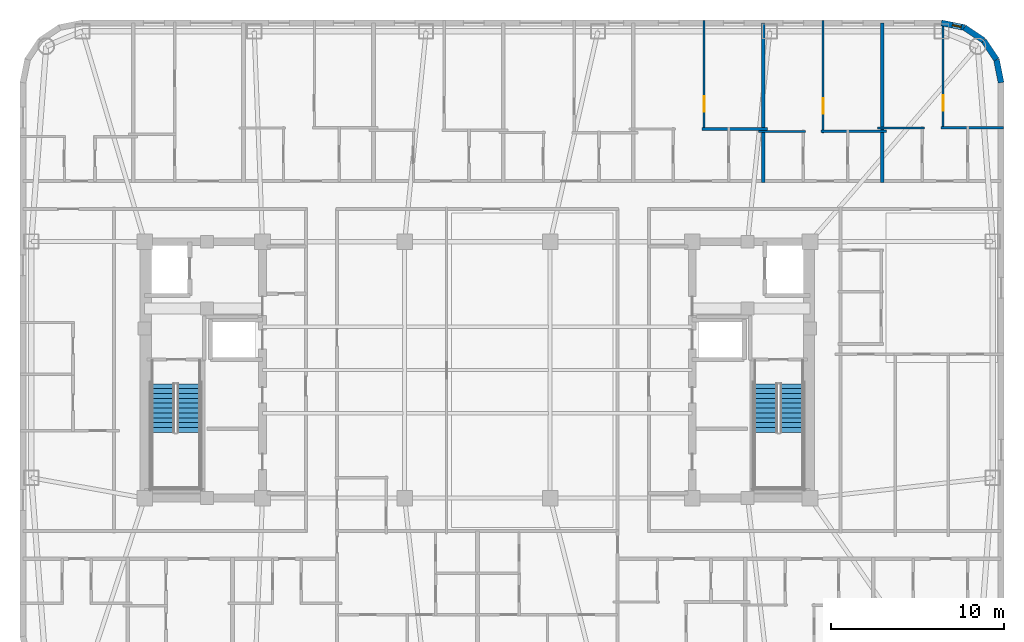
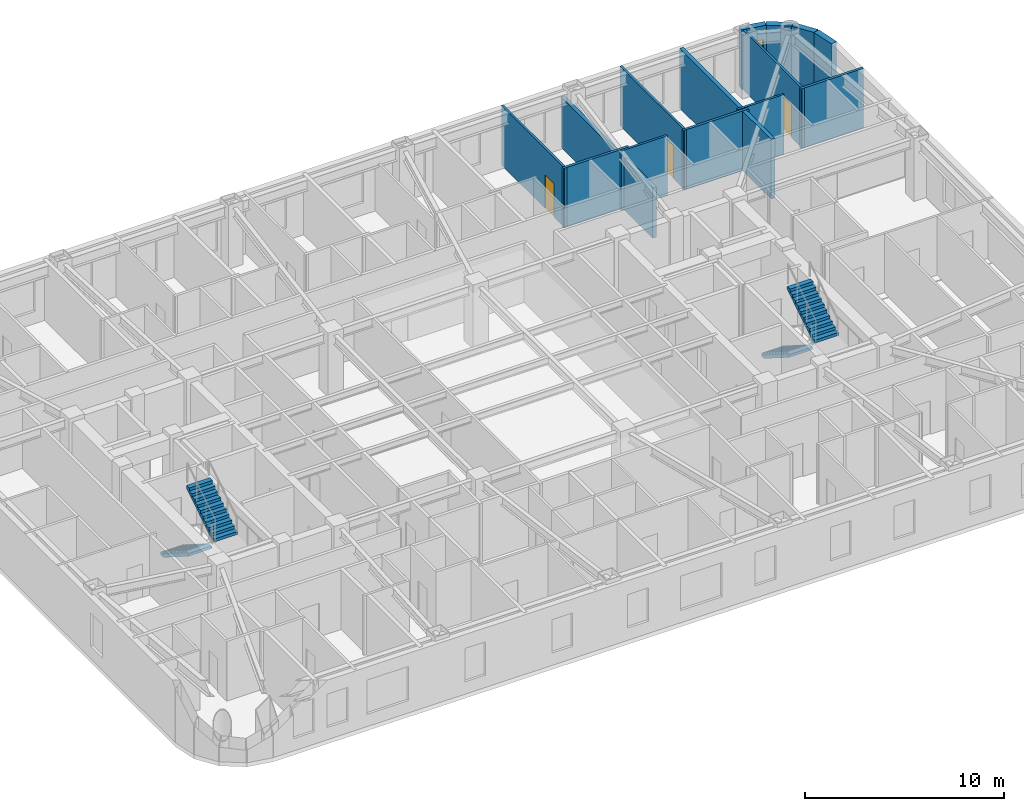
# One storey, part 9 of 11: 14 walls, 4 stair flights, 3 doors, 1 window, 4 openings, 2 elements without a shape of their own.
"""IFC4 building model written with IfcOpenShell, lengths in metres."""

from ifc_helpers import new_model, si_unit, direction, frame, frame_2d, origin, place, context, subcontext, project, spatial, polyline, rectangle, outline, extrude, material, layer, layer_set, type_object, element, fill, aggregate, save


model = new_model("IFC4")

# Units and contexts
model_context = context("Model", 3, precision=1e-05, world=origin(), true_north=direction((0.0, 1.0)))
body_context = subcontext(model_context, "Body", "Model", "MODEL_VIEW")
ifc_project = project(units=[si_unit("LENGTHUNIT", "METRE"), si_unit("AREAUNIT", "SQUARE_METRE"), si_unit("VOLUMEUNIT", "CUBIC_METRE"), si_unit("PLANEANGLEUNIT", "RADIAN"), si_unit("MASSUNIT", "GRAM", prefix="KILO")], contexts=[model_context])

# Site, building, storey
site_placement = place(None, origin())
site = spatial("IfcSite", under=ifc_project, at=site_placement, CompositionType="ELEMENT")
building_placement = place(site_placement, origin())
building = spatial("IfcBuilding", under=site, at=building_placement, Name="Voryun Gate Residences", CompositionType="ELEMENT")
storey_placement = place(building_placement, frame((0.0, 0.0, 243.10009765625)))
storey = spatial("IfcBuildingStorey", under=building, at=storey_placement, Name="L60", CompositionType="ELEMENT", Elevation=243.10009765625)

# Wall, opening, window
ifc_material_1 = material(Name="Charcoal terracotta masonry", Category="masonry")
ifc_layer_1 = layer(ifc_material_1, 0.340087890625, Name="W_EXT_TERRACOTTA_340")
ifc_layer_set_1 = layer_set([ifc_layer_1], Name="Charcoal terracotta masonry")
wall_type_1 = type_object("IfcWallType", Name="W_EXT_TERRACOTTA_340", PredefinedType="ELEMENTEDWALL", material=ifc_layer_set_1)
wall_1_placement = place(storey_placement, frame((26.783203125, 20.030029296875, 0.0), z_axis=(0.0, 0.0, 1.0), x_axis=(0.980788153188, -0.195075878998, 0.0)))
wall_1 = element("IfcWall", 1, at=wall_1_placement, inside=storey, type_object=wall_type_1, Name="Exterior wall WEXT-L60-12", PredefinedType="ELEMENTEDWALL", context=body_context, shape_type="SweptSolid", body=[
    extrude(rectangle(XDim=1.354248046875, YDim=0.340087890625, at=frame_2d((0.67724609375, 0.0))), origin(), (0.0, 0.0, 1.0), 3.64990234375),
])
opening_1_placement = place(wall_1_placement, frame((0.656982421875, 0.0, 0.75)))
opening_1 = element("IfcOpeningElement", 2, at=opening_1_placement, cuts=wall_1, Name="Opening WN10", PredefinedType="OPENING", context=body_context, shape_type="SweptSolid", body=[
    extrude(rectangle(XDim=0.52001953125, YDim=2.050048828125, at=frame_2d((0.260009765625, 1.02490234375))), frame((0.0, 0.179931640625, 0.0), z_axis=(0.0, -1.0, 0.0), x_axis=(1.0, 0.0, 0.0)), (0.0, 0.0, 1.0), 0.360107421875),
])
ifc_material_2 = material(Name="Laminated low-E glass", Category="glass")
window_type = type_object("IfcWindowType", Name="WN_PAGODA_LANCET_520", PartitioningType="SINGLE_PANEL", PredefinedType="WINDOW", material=ifc_material_2)
window_placement = place(opening_1_placement, origin())
window = element("IfcWindow", 3, at=window_placement, inside=storey, type_object=window_type, Name="Window WN-L60-DWFIX-13", OverallHeight=2.050048828125, OverallWidth=0.52001953125, PartitioningType="SINGLE_PANEL", PredefinedType="WINDOW", context=body_context, shape_type="SweptSolid", body=[
    extrude(rectangle(XDim=0.52001953125, YDim=2.050048828125, at=frame_2d((0.260009765625, 1.02490234375))), frame((0.0, 0.030029296875, 0.0), z_axis=(0.0, -1.0, 0.0), x_axis=(1.0, 0.0, 0.0)), (0.0, 0.0, 1.0), 0.06005859375),
])
fill(opening_1, window)

# Walls
for number, where, z_axis, x_axis, name in (
    (4, (28.111328125, 19.765869140625, 0.0), (0.0, 0.0, 1.0), (0.831403586725, -0.555669034571, 0.0), "Exterior wall WEXT-L60-13"),
    (5, (29.222900390625, 19.02294921875, 0.0), (0.0, 0.0, 1.0), (0.555669034571, -0.831403586725, 0.0), "Exterior wall WEXT-L60-14"),
):
    element("IfcWall", number, at=place(storey_placement, frame(where, z_axis=z_axis, x_axis=x_axis)), inside=storey, type_object=wall_type_1, Name=name, PredefinedType="ELEMENTEDWALL", context=body_context, shape_type="SweptSolid", body=[
        extrude(rectangle(XDim=1.3369140625, YDim=0.340087890625, at=frame_2d((0.66845703125, 0.0))), origin(), (0.0, 0.0, 1.0), 3.64990234375),
    ])
wall_2_placement = place(storey_placement, frame((29.9658203125, 17.911376953125, 0.0), z_axis=(0.0, 0.0, 1.0), x_axis=(0.195075878998, -0.980788153188, 0.0)))
element("IfcWall", 6, at=wall_2_placement, inside=storey, type_object=wall_type_1, Name="Exterior wall WEXT-L60-15", PredefinedType="ELEMENTEDWALL", context=body_context, shape_type="SweptSolid", body=[
    extrude(rectangle(XDim=1.354248046875, YDim=0.340087890625, at=frame_2d((0.67724609375, 0.0))), origin(), (0.0, 0.0, 1.0), 3.64990234375),
])
ifc_material_3 = material(Name="Concrete C40/50", Category="concrete")
ifc_layer_2 = layer(ifc_material_3, 0.219970703125, Name="W_PARTY_ACOUSTIC_220")
ifc_layer_set_2 = layer_set([ifc_layer_2], Name="Concrete C40/50")
wall_type_2 = type_object("IfcWallType", Name="W_PARTY_ACOUSTIC_220", PredefinedType="PARTITIONING", material=ifc_layer_set_2)
wall_3_placement = place(storey_placement, frame((16.5, 10.820068359375, 0.0), z_axis=(0.0, 0.0, 1.0), x_axis=(0.0, 1.0, 0.0)))
element("IfcWall", 7, at=wall_3_placement, inside=storey, type_object=wall_type_2, Name="Partition wall WP-L60-NPTY-6", PredefinedType="PARTITIONING", context=body_context, shape_type="SweptSolid", body=[
    extrude(rectangle(XDim=9.2099609375, YDim=0.219970703125, at=frame_2d((4.60498046875, 0.0))), origin(), (0.0, 0.0, 1.0), 3.08984375),
])
wall_4_placement = place(storey_placement, frame((23.367919921875, 10.820068359375, 0.0), z_axis=(0.0, 0.0, 1.0), x_axis=(0.0, 1.0, 0.0)))
element("IfcWall", 8, at=wall_4_placement, inside=storey, type_object=wall_type_2, Name="Partition wall WP-L60-NPTY-7", PredefinedType="PARTITIONING", context=body_context, shape_type="SweptSolid", body=[
    extrude(rectangle(XDim=9.2099609375, YDim=0.219970703125, at=frame_2d((4.60498046875, 0.0))), origin(), (0.0, 0.0, 1.0), 3.64990234375),
])

# Wall, opening, door
ifc_material_4 = material(Name="Gypsum acoustic partition")
ifc_layer_3 = layer(ifc_material_4, 0.125, Name="W_UNIT_PART_125")
ifc_layer_set_3 = layer_set([ifc_layer_3], Name="Gypsum acoustic partition")
wall_type_3 = type_object("IfcWallType", Name="W_UNIT_PART_125", PredefinedType="PARTITIONING", material=ifc_layer_set_3)
wall_5_placement = place(storey_placement, frame((13.090087890625, 13.825927734375, 0.0), z_axis=(0.0, 0.0, 1.0), x_axis=(0.0, 1.0, 0.0)))
wall_5 = element("IfcWall", 9, at=wall_5_placement, inside=storey, type_object=wall_type_3, Name="Partition wall WP-L60-N6-OVR", PredefinedType="PARTITIONING", context=body_context, shape_type="SweptSolid", body=[
    extrude(rectangle(XDim=6.35400390625, YDim=0.125, at=frame_2d((3.177001953125, 0.0))), origin(), (0.0, 0.0, 1.0), 3.64990234375),
])
opening_2_placement = place(wall_5_placement, frame((1.074951171875, 0.0, 0.0)))
opening_2 = element("IfcOpeningElement", 10, at=opening_2_placement, cuts=wall_5, Name="Opening D-INT-2", PredefinedType="OPENING", context=body_context, shape_type="SweptSolid", body=[
    extrude(rectangle(XDim=0.89990234375, YDim=2.050048828125, at=frame_2d((0.449951171875, 1.02490234375))), frame((0.0, 0.072509765625, 0.0), z_axis=(0.0, -1.0, 0.0), x_axis=(1.0, 0.0, 0.0)), (0.0, 0.0, 1.0), 0.14501953125),
])
ifc_material_5 = material(Name="Architectural oak veneer")
door_type = type_object("IfcDoorType", Name="DR_INT_BATH_900", OperationType="NOTDEFINED", PredefinedType="DOOR", material=ifc_material_5)
door_1_placement = place(opening_2_placement, origin())
door_1 = element("IfcDoor", 11, at=door_1_placement, inside=storey, type_object=door_type, Name="Door DR-L60-N6-DMB", OperationType="SINGLE_SWING_RIGHT", OverallHeight=2.050048828125, OverallWidth=0.89990234375, PredefinedType="DOOR", context=body_context, shape_type="SweptSolid", body=[
    extrude(rectangle(XDim=0.89990234375, YDim=2.050048828125, at=frame_2d((0.449951171875, 1.02490234375))), frame((0.0, 0.02490234375, 0.0), z_axis=(0.0, -1.0, 0.0), x_axis=(1.0, 0.0, 0.0)), (0.0, 0.0, 1.0), 0.050048828125),
])
fill(opening_2, door_1)

wall_6_placement = place(storey_placement, frame((19.9580078125, 13.68896484375, 0.0), z_axis=(0.0, 0.0, 1.0), x_axis=(0.0, 1.0, 0.0)))
wall_6 = element("IfcWall", 12, at=wall_6_placement, inside=storey, type_object=wall_type_3, Name="Partition wall WP-L60-N7-OVR", PredefinedType="PARTITIONING", context=body_context, shape_type="SweptSolid", body=[
    extrude(rectangle(XDim=6.490966796875, YDim=0.125, at=frame_2d((3.24560546875, 0.0))), origin(), (0.0, 0.0, 1.0), 3.64990234375),
])
opening_3_placement = place(wall_6_placement, frame((1.10791015625, 0.0, 0.0)))
opening_3 = element("IfcOpeningElement", 13, at=opening_3_placement, cuts=wall_6, Name="Opening D-INT-2", PredefinedType="OPENING", context=body_context, shape_type="SweptSolid", body=[
    extrude(rectangle(XDim=0.89990234375, YDim=2.050048828125, at=frame_2d((0.449951171875, 1.02490234375))), frame((0.0, 0.072509765625, 0.0), z_axis=(0.0, -1.0, 0.0), x_axis=(1.0, 0.0, 0.0)), (0.0, 0.0, 1.0), 0.14501953125),
])
door_2_placement = place(opening_3_placement, origin())
door_2 = element("IfcDoor", 14, at=door_2_placement, inside=storey, type_object=door_type, Name="Door DR-L60-N7-DMB", OperationType="SINGLE_SWING_RIGHT", OverallHeight=2.050048828125, OverallWidth=0.89990234375, PredefinedType="DOOR", context=body_context, shape_type="SweptSolid", body=[
    extrude(rectangle(XDim=0.89990234375, YDim=2.050048828125, at=frame_2d((0.449951171875, 1.02490234375))), frame((0.0, 0.02490234375, 0.0), z_axis=(0.0, -1.0, 0.0), x_axis=(1.0, 0.0, 0.0)), (0.0, 0.0, 1.0), 0.050048828125),
])
fill(opening_3, door_2)

# Wall
wall_7_placement = place(storey_placement, frame((16.239990234375, 13.76904296875, 0.0), z_axis=(0.0, 0.0, 1.0), x_axis=(1.0, 0.0, 0.0)))
element("IfcWall", 15, at=wall_7_placement, inside=storey, type_object=wall_type_3, Name="Partition wall WP-L60-N7-HZK", PredefinedType="PARTITIONING", context=body_context, shape_type="SweptSolid", body=[
    extrude(rectangle(XDim=2.68994140625, YDim=0.125, at=frame_2d((1.344970703125, 0.0))), origin(), (0.0, 0.0, 1.0), 3.64990234375),
])

# Wall, opening, door
wall_8_placement = place(storey_placement, frame((26.886962890625, 13.89404296875, 0.0), z_axis=(0.0, 0.0, 1.0), x_axis=(0.0, 1.0, 0.0)))
wall_8 = element("IfcWall", 16, at=wall_8_placement, inside=storey, type_object=wall_type_3, Name="Partition wall WP-L60-N8-OVR", PredefinedType="PARTITIONING", context=body_context, shape_type="SweptSolid", body=[
    extrude(rectangle(XDim=6.268310546875, YDim=0.125, at=frame_2d((3.13427734375, 0.0))), origin(), (0.0, 0.0, 1.0), 3.64990234375),
])
opening_4_placement = place(wall_8_placement, frame((1.054443359375, 0.0, 0.0)))
opening_4 = element("IfcOpeningElement", 17, at=opening_4_placement, cuts=wall_8, Name="Opening D-INT-2", PredefinedType="OPENING", context=body_context, shape_type="SweptSolid", body=[
    extrude(rectangle(XDim=0.89990234375, YDim=2.050048828125, at=frame_2d((0.449951171875, 1.02490234375))), frame((0.0, 0.072509765625, 0.0), z_axis=(0.0, -1.0, 0.0), x_axis=(1.0, 0.0, 0.0)), (0.0, 0.0, 1.0), 0.14501953125),
])
door_3_placement = place(opening_4_placement, origin())
door_3 = element("IfcDoor", 18, at=door_3_placement, inside=storey, type_object=door_type, Name="Door DR-L60-N8-DMB", OperationType="SINGLE_SWING_RIGHT", OverallHeight=2.050048828125, OverallWidth=0.89990234375, PredefinedType="DOOR", context=body_context, shape_type="SweptSolid", body=[
    extrude(rectangle(XDim=0.89990234375, YDim=2.050048828125, at=frame_2d((0.449951171875, 1.02490234375))), frame((0.0, 0.02490234375, 0.0), z_axis=(0.0, -1.0, 0.0), x_axis=(1.0, 0.0, 0.0)), (0.0, 0.0, 1.0), 0.050048828125),
])
fill(opening_4, door_3)

# Walls
wall_9_placement = place(storey_placement, frame((23.10791015625, 13.97412109375, 0.0), z_axis=(0.0, 0.0, 1.0), x_axis=(1.0, 0.0, 0.0)))
element("IfcWall", 19, at=wall_9_placement, inside=storey, type_object=wall_type_3, Name="Partition wall WP-L60-N8-HZK", PredefinedType="PARTITIONING", context=body_context, shape_type="SweptSolid", body=[
    extrude(rectangle(XDim=2.690185546875, YDim=0.125, at=frame_2d((1.34521484375, 0.0))), origin(), (0.0, 0.0, 1.0), 3.64990234375),
])
ifc_material_6 = material(Name="Gypsum moisture-resistant partition")
ifc_layer_4 = layer(ifc_material_6, 0.14990234375, Name="W_WET_PLUMB_150")
ifc_layer_set_4 = layer_set([ifc_layer_4], Name="Gypsum moisture-resistant partition")
wall_type_4 = type_object("IfcWallType", Name="W_WET_PLUMB_150", PredefinedType="PLUMBINGWALL", material=ifc_layer_set_4)
for number, where, z_axis, x_axis, name in (
    (20, (12.969970703125, 13.906005859375, 0.0), (0.0, 0.0, 1.0), (1.0, 0.0, 0.0), "Partition wall WP-L60-N6-HZB"),
    (21, (19.837890625, 13.76904296875, 0.0), (0.0, 0.0, 1.0), (1.0, 0.0, 0.0), "Partition wall WP-L60-N7-HZB"),
):
    element("IfcWall", number, at=place(storey_placement, frame(where, z_axis=z_axis, x_axis=x_axis)), inside=storey, type_object=wall_type_4, Name=name, PredefinedType="PLUMBINGWALL", context=body_context, shape_type="SweptSolid", body=[
        extrude(rectangle(XDim=3.7900390625, YDim=0.14990234375, at=frame_2d((1.89501953125, 0.0))), origin(), (0.0, 0.0, 1.0), 3.64990234375),
    ])
wall_10_placement = place(storey_placement, frame((26.76708984375, 13.97412109375, 0.0), z_axis=(0.0, 0.0, 1.0), x_axis=(1.0, 0.0, 0.0)))
element("IfcWall", 22, at=wall_10_placement, inside=storey, type_object=wall_type_4, Name="Partition wall WP-L60-N8-HZB", PredefinedType="PLUMBINGWALL", context=body_context, shape_type="SweptSolid", body=[
    extrude(rectangle(XDim=3.61279296875, YDim=0.14990234375, at=frame_2d((1.806396484375, 0.0))), origin(), (0.0, 0.0, 1.0), 3.64990234375),
])

# Stair, stair flights
ifc_material_7 = material(Name="Concrete C40/50", Category="concrete")
stair_type = type_object("IfcStairType", Name="STR_CORE_DOGLEG_1350", PredefinedType="HALF_TURN_STAIR", material=ifc_material_7)
stair_1_placement = place(storey_placement, origin())
stair_1 = element("IfcStair", 23, at=stair_1_placement, inside=storey, type_object=stair_type, Name="L60 Special Escape Stair ST-W1", PredefinedType="HALF_TURN_STAIR")
ifc_material_8 = material(Name="Concrete C40/50", Category="concrete")
stair_flight_type = type_object("IfcStairFlightType", Name="FLT_CORE_1350", PredefinedType="STRAIGHT", material=ifc_material_8)
stair_flight_1_placement = place(storey_placement, frame((-18.14990234375, -0.800048828125, 0.0), z_axis=(0.0, 0.0, 1.0), x_axis=(0.0, -1.0, 0.0)))
stair_flight_1 = element("IfcStairFlight", 24, at=stair_flight_1_placement, type_object=stair_flight_type, Name="ST-W1 flight 1", NumberOfRisers=11, NumberOfTreads=10, PredefinedType="STRAIGHT", RiserHeight=0.177272727, TreadLength=0.28, context=body_context, shape_type="SweptSolid", body=[
    extrude(outline(polyline([(0.0, 0.0), (0.0, 0.17724609375), (0.280029296875, 0.17724609375), (0.280029296875, 0.3544921875), (0.56005859375, 0.3544921875), (0.56005859375, 0.53173828125), (0.840087890625, 0.53173828125), (0.840087890625, 0.708984375), (1.1201171875, 0.708984375), (1.1201171875, 0.886474609375), (1.39990234375, 0.886474609375), (1.39990234375, 1.063720703125), (1.679931640625, 1.063720703125), (1.679931640625, 1.240966796875), (1.9599609375, 1.240966796875), (1.9599609375, 1.418212890625), (2.239990234375, 1.418212890625), (2.239990234375, 1.595458984375), (2.52001953125, 1.595458984375), (2.52001953125, 1.772705078125), (2.800048828125, 1.772705078125), (2.800048828125, 1.949951171875), (2.800048828125, 1.59521484375), (0.2802734375, 0.0), (0.0, 0.0)])), frame((0.0, 0.675048828125, 0.0), z_axis=(0.0, -1.0, 0.0), x_axis=(1.0, 0.0, 0.0)), (0.0, 0.0, 1.0), 1.35009765625),
])
stair_flight_2_placement = place(storey_placement, frame((-16.64990234375, -3.60009765625, 1.949951171875), z_axis=(0.0, 0.0, 1.0), x_axis=(0.0, 1.0, 0.0)))
stair_flight_2 = element("IfcStairFlight", 25, at=stair_flight_2_placement, type_object=stair_flight_type, Name="ST-W1 flight 2", NumberOfRisers=11, NumberOfTreads=10, PredefinedType="STRAIGHT", RiserHeight=0.177272727, TreadLength=0.28, context=body_context, shape_type="SweptSolid", body=[
    extrude(outline(polyline([(0.0, 0.0), (0.0, 0.17724609375), (0.280029296875, 0.17724609375), (0.280029296875, 0.3544921875), (0.56005859375, 0.3544921875), (0.56005859375, 0.53173828125), (0.840087890625, 0.53173828125), (0.840087890625, 0.708984375), (1.1201171875, 0.708984375), (1.1201171875, 0.886474609375), (1.39990234375, 0.886474609375), (1.39990234375, 1.063720703125), (1.679931640625, 1.063720703125), (1.679931640625, 1.240966796875), (1.9599609375, 1.240966796875), (1.9599609375, 1.418212890625), (2.239990234375, 1.418212890625), (2.239990234375, 1.595458984375), (2.52001953125, 1.595458984375), (2.52001953125, 1.772705078125), (2.800048828125, 1.772705078125), (2.800048828125, 1.949951171875), (2.800048828125, 1.59521484375), (0.2802734375, 0.0), (0.0, 0.0)])), frame((0.0, 0.675048828125, 0.0), z_axis=(0.0, -1.0, 0.0), x_axis=(1.0, 0.0, 0.0)), (0.0, 0.0, 1.0), 1.35009765625),
])
aggregate(stair_1, [stair_flight_1, stair_flight_2])

stair_2_placement = place(storey_placement, origin())
stair_2 = element("IfcStair", 26, at=stair_2_placement, inside=storey, type_object=stair_type, Name="L60 Special Escape Stair ST-E1", PredefinedType="HALF_TURN_STAIR")
stair_flight_3_placement = place(storey_placement, frame((16.64990234375, -0.800048828125, 0.0), z_axis=(0.0, 0.0, 1.0), x_axis=(0.0, -1.0, 0.0)))
stair_flight_3 = element("IfcStairFlight", 27, at=stair_flight_3_placement, type_object=stair_flight_type, Name="ST-E1 flight 1", NumberOfRisers=11, NumberOfTreads=10, PredefinedType="STRAIGHT", RiserHeight=0.177272727, TreadLength=0.28, context=body_context, shape_type="SweptSolid", body=[
    extrude(outline(polyline([(0.0, 0.0), (0.0, 0.17724609375), (0.280029296875, 0.17724609375), (0.280029296875, 0.3544921875), (0.56005859375, 0.3544921875), (0.56005859375, 0.53173828125), (0.840087890625, 0.53173828125), (0.840087890625, 0.708984375), (1.1201171875, 0.708984375), (1.1201171875, 0.886474609375), (1.39990234375, 0.886474609375), (1.39990234375, 1.063720703125), (1.679931640625, 1.063720703125), (1.679931640625, 1.240966796875), (1.9599609375, 1.240966796875), (1.9599609375, 1.418212890625), (2.239990234375, 1.418212890625), (2.239990234375, 1.595458984375), (2.52001953125, 1.595458984375), (2.52001953125, 1.772705078125), (2.800048828125, 1.772705078125), (2.800048828125, 1.949951171875), (2.800048828125, 1.59521484375), (0.2802734375, 0.0), (0.0, 0.0)])), frame((0.0, 0.675048828125, 0.0), z_axis=(0.0, -1.0, 0.0), x_axis=(1.0, 0.0, 0.0)), (0.0, 0.0, 1.0), 1.35009765625),
])
stair_flight_4_placement = place(storey_placement, frame((18.14990234375, -3.60009765625, 1.949951171875), z_axis=(0.0, 0.0, 1.0), x_axis=(0.0, 1.0, 0.0)))
stair_flight_4 = element("IfcStairFlight", 28, at=stair_flight_4_placement, type_object=stair_flight_type, Name="ST-E1 flight 2", NumberOfRisers=11, NumberOfTreads=10, PredefinedType="STRAIGHT", RiserHeight=0.177272727, TreadLength=0.28, context=body_context, shape_type="SweptSolid", body=[
    extrude(outline(polyline([(0.0, 0.0), (0.0, 0.17724609375), (0.280029296875, 0.17724609375), (0.280029296875, 0.3544921875), (0.56005859375, 0.3544921875), (0.56005859375, 0.53173828125), (0.840087890625, 0.53173828125), (0.840087890625, 0.708984375), (1.1201171875, 0.708984375), (1.1201171875, 0.886474609375), (1.39990234375, 0.886474609375), (1.39990234375, 1.063720703125), (1.679931640625, 1.063720703125), (1.679931640625, 1.240966796875), (1.9599609375, 1.240966796875), (1.9599609375, 1.418212890625), (2.239990234375, 1.418212890625), (2.239990234375, 1.595458984375), (2.52001953125, 1.595458984375), (2.52001953125, 1.772705078125), (2.800048828125, 1.772705078125), (2.800048828125, 1.949951171875), (2.800048828125, 1.59521484375), (0.2802734375, 0.0), (0.0, 0.0)])), frame((0.0, 0.675048828125, 0.0), z_axis=(0.0, -1.0, 0.0), x_axis=(1.0, 0.0, 0.0)), (0.0, 0.0, 1.0), 1.35009765625),
])
aggregate(stair_2, [stair_flight_3, stair_flight_4])

save(model, "model.ifc")
